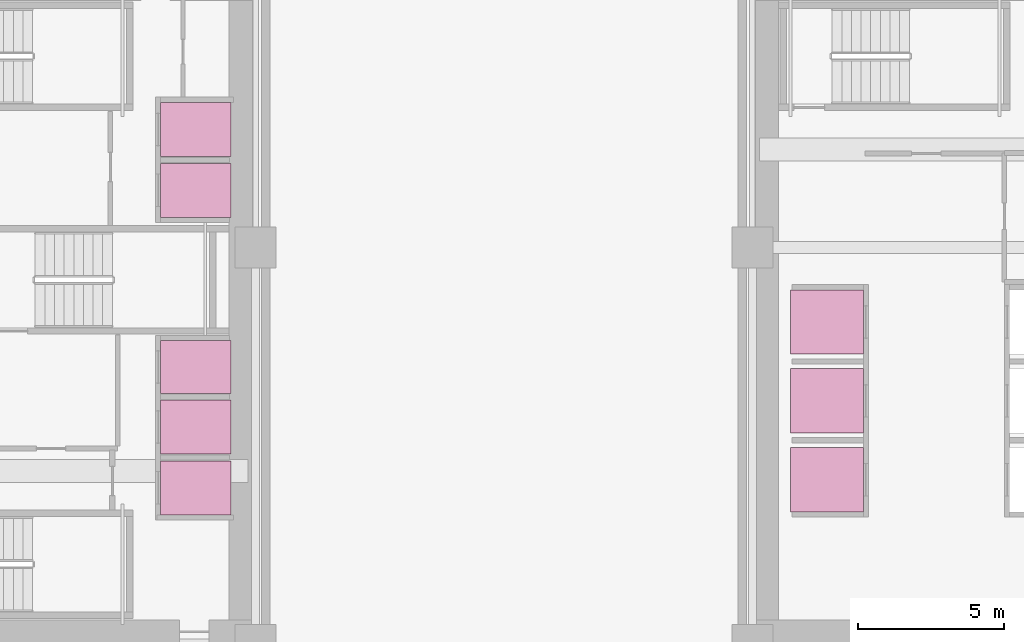
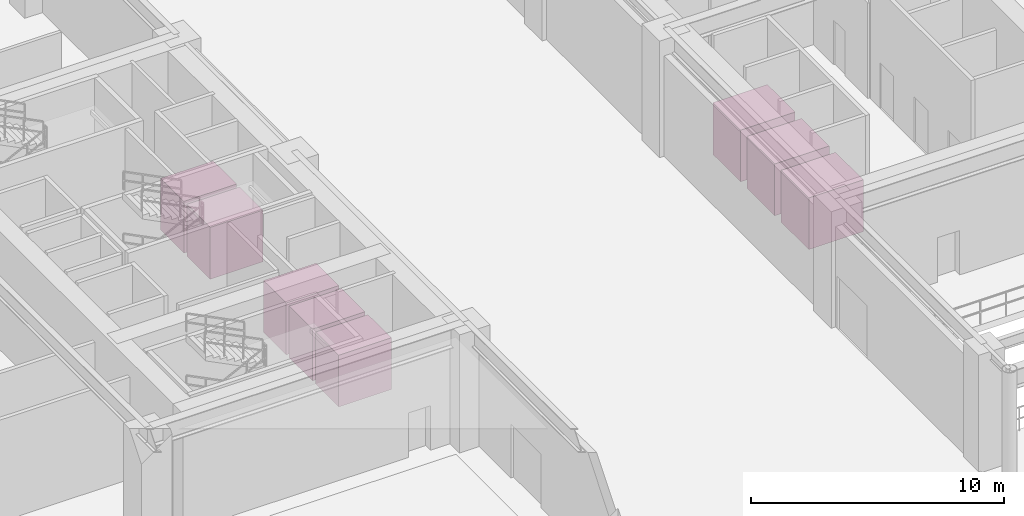
# One storey, part 17 of 17: 8 transport elements.
"""IFC4 building model written with IfcOpenShell, lengths in metres."""

from ifc_helpers import new_model, si_unit, direction, frame, origin, origin_2d, place, context, subcontext, project, spatial, rectangle, extrude, source, transform, mapped, material, type_object, element, save


model = new_model("IFC4")

# Units and contexts
model_context = context("Model", 3, precision=1e-05, world=origin(), true_north=direction((0.0, 1.0)))
body_context = subcontext(model_context, "Body", "Model", "MODEL_VIEW")
ifc_project = project(units=[si_unit("LENGTHUNIT", "METRE"), si_unit("AREAUNIT", "SQUARE_METRE"), si_unit("VOLUMEUNIT", "CUBIC_METRE"), si_unit("PLANEANGLEUNIT", "RADIAN"), si_unit("MASSUNIT", "GRAM", prefix="KILO")], contexts=[model_context])

# Site, building, storey
site_placement = place(None, origin())
site = spatial("IfcSite", under=ifc_project, at=site_placement, CompositionType="ELEMENT")
building_placement = place(site_placement, origin())
building = spatial("IfcBuilding", under=site, at=building_placement, Name="Ocotamira Hotel", CompositionType="ELEMENT")
storey_placement = place(building_placement, origin())
storey = spatial("IfcBuildingStorey", under=building, at=storey_placement, Name="L01", CompositionType="ELEMENT", Elevation=0.0)

# Transport elements
ifc_material = material(Name="Brushed pale-metal stainless steel cab", Category="steel")
transport_element_type_1 = type_object("IfcTransportElementType", Name="LFT-PASS-MID", PredefinedType="ELEVATOR", material=ifc_material)
shared_shape_1 = source(origin(), body_context, "Body", "SweptSolid", [
    extrude(rectangle(XDim=2.5, YDim=2.199951171875, at=origin_2d()), origin(), (0.0, 0.0, 1.0), 2.5),
])
for number, where, z_axis, x_axis, name in (
    (1, (43.050048828125, 20.199951171875, 0.0), (0.0, 0.0, 1.0), (1.0, 0.0, 0.0), "Elevator Car LF-P4"),
    (2, (43.050048828125, 22.89990234375, 0.0), (0.0, 0.0, 1.0), (1.0, 0.0, 0.0), "Elevator Car LF-P5"),
    (3, (43.050048828125, 25.60009765625, 0.0), (0.0, 0.0, 1.0), (1.0, 0.0, 0.0), "Elevator Car LF-P6"),
):
    element("IfcTransportElement", number, at=place(storey_placement, frame(where, z_axis=z_axis, x_axis=x_axis)), inside=storey, type_object=transport_element_type_1, Name=name, PredefinedType="ELEVATOR", context=body_context, shape_type="MappedRepresentation", body=[
        mapped(shared_shape_1, transform((0.0, 0.0, 0.0), scale=1.0)),
    ])
transport_element_type_2 = type_object("IfcTransportElementType", Name="LFT-PASS-HIGH", PredefinedType="ELEVATOR", material=ifc_material)
shared_shape_2 = source(origin(), body_context, "Body", "SweptSolid", [
    extrude(rectangle(XDim=2.409912109375, YDim=1.85009765625, at=origin_2d()), origin(), (0.0, 0.0, 1.0), 2.5),
])
for number, where, z_axis, x_axis, name in (
    (4, (21.455078125, 19.925048828125, 0.0), (0.0, 0.0, 1.0), (1.0, 0.0, 0.0), "Elevator Car LF-P7"),
    (5, (21.455078125, 22.0048828125, 0.0), (0.0, 0.0, 1.0), (1.0, 0.0, 0.0), "Elevator Car LF-P8"),
):
    element("IfcTransportElement", number, at=place(storey_placement, frame(where, z_axis=z_axis, x_axis=x_axis)), inside=storey, type_object=transport_element_type_2, Name=name, PredefinedType="ELEVATOR", context=body_context, shape_type="MappedRepresentation", body=[
        mapped(shared_shape_2, transform((0.0, 0.0, 0.0), scale=1.0)),
    ])
transport_element_type_3 = type_object("IfcTransportElementType", Name="LFT-PASS-OBS", PredefinedType="ELEVATOR", material=ifc_material)
for number, where, z_axis, x_axis, name in (
    (6, (21.455078125, 30.10498046875, 0.0), (0.0, 0.0, 1.0), (1.0, 0.0, 0.0), "Elevator Car LF-OBS1"),
    (7, (21.455078125, 32.18505859375, 0.0), (0.0, 0.0, 1.0), (1.0, 0.0, 0.0), "Elevator Car LF-OBS2"),
):
    element("IfcTransportElement", number, at=place(storey_placement, frame(where, z_axis=z_axis, x_axis=x_axis)), inside=storey, type_object=transport_element_type_3, Name=name, PredefinedType="ELEVATOR", context=body_context, shape_type="MappedRepresentation", body=[
        mapped(shared_shape_2, transform((0.0, 0.0, 0.0), scale=1.0)),
    ])
shared_shape_3 = source(origin(), body_context, "Body", "SweptSolid", [
    extrude(rectangle(XDim=2.409912109375, YDim=1.800048828125, at=origin_2d()), origin(), (0.0, 0.0, 1.0), 2.5),
])
transport_element_placement = place(storey_placement, frame((21.455078125, 24.06005859375, 0.0), z_axis=(0.0, 0.0, 1.0), x_axis=(1.0, 0.0, 0.0)))
element("IfcTransportElement", 8, at=transport_element_placement, inside=storey, type_object=transport_element_type_2, Name="Elevator Car LF-P9", PredefinedType="ELEVATOR", context=body_context, shape_type="MappedRepresentation", body=[
    mapped(shared_shape_3, transform((0.0, 0.0, 0.0), scale=1.0)),
])

save(model, "model.ifc")
